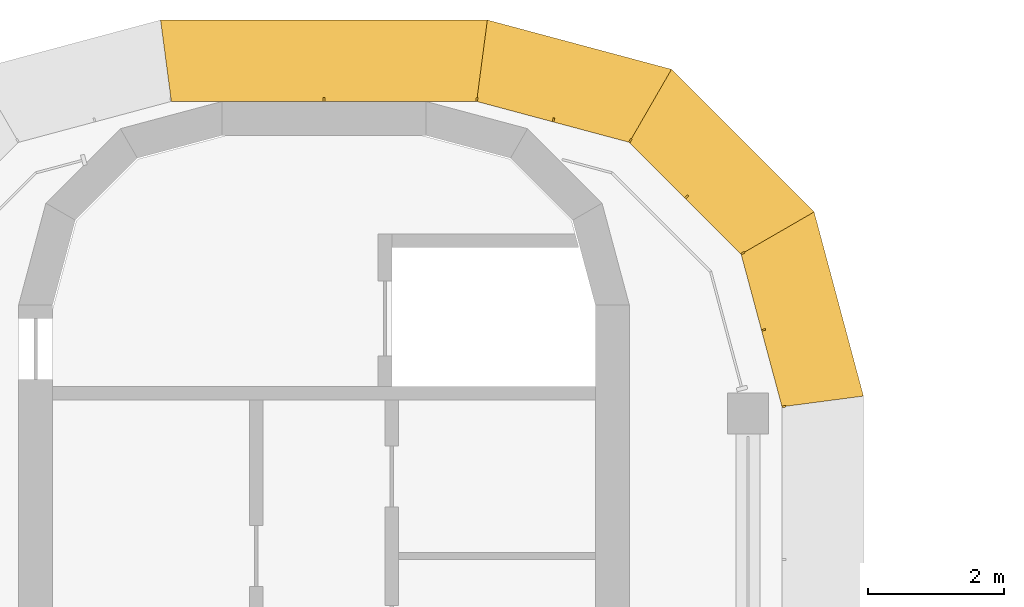
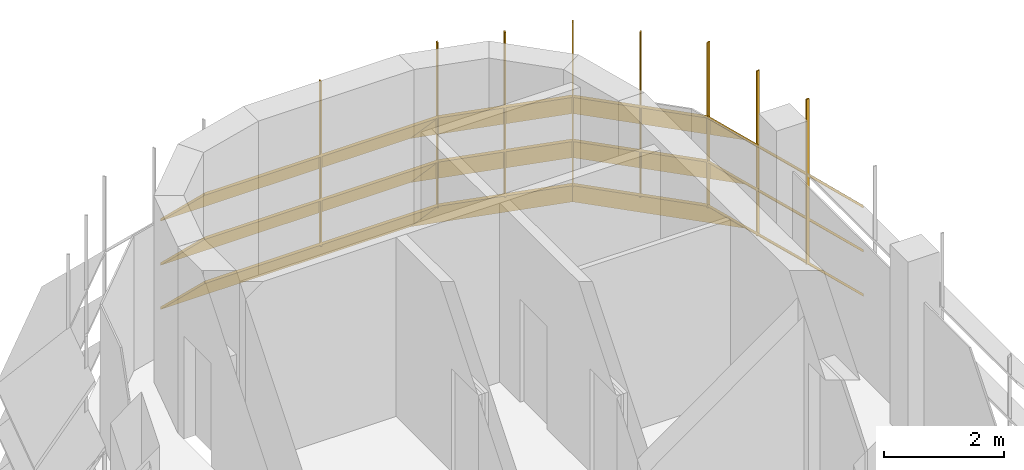
# One storey, part 19 of 19: 2 shading devices.
"""IFC4 building model written with IfcOpenShell, lengths in metres."""

from ifc_helpers import new_model, si_unit, direction, frame, origin, place, context, subcontext, project, spatial, polyline, outline, extrude, faceted_brep, source, transform, mapped, material, type_object, element, save


model = new_model("IFC4")

# Units and contexts
model_context = context("Model", 3, precision=1e-05, world=origin(), true_north=direction((0.0, 1.0)))
body_context = subcontext(model_context, "Body", "Model", "MODEL_VIEW")
ifc_project = project(units=[si_unit("LENGTHUNIT", "METRE"), si_unit("AREAUNIT", "SQUARE_METRE"), si_unit("VOLUMEUNIT", "CUBIC_METRE"), si_unit("PLANEANGLEUNIT", "RADIAN"), si_unit("MASSUNIT", "GRAM", prefix="KILO")], contexts=[model_context])

# Site, building, storey
site_placement = place(None, origin())
site = spatial("IfcSite", under=ifc_project, at=site_placement, CompositionType="ELEMENT")
building_placement = place(site_placement, origin())
building = spatial("IfcBuilding", under=site, at=building_placement, Name="Zarbagh Exchange Tower", CompositionType="ELEMENT")
storey_placement = place(building_placement, frame((0.0, 0.0, 280.199951171875)))
storey = spatial("IfcBuildingStorey", under=building, at=storey_placement, Name="L69", CompositionType="ELEMENT", Elevation=280.199951171875)

# Shading devices
ifc_material = material(Name="Anodised aluminium blades and brackets", Category="aluminium")
shading_device_type = type_object("IfcShadingDeviceType", Name="SUNSHADE louvre band, 45 degree blades", PredefinedType="JALOUSIE", material=ifc_material)
shared_shape_1 = source(origin(), body_context, "Body", "Brep", [
    faceted_brep([(0.0, 0.0, 0.0), (0.0, 0.0, -0.056640625), (-0.157958984375, -1.199951171875, -1.256591796875), (-0.157958984375, -1.199951171875, -1.199951171875), (2.65087890625, -1.199951171875, -1.199951171875), (2.65087890625, -1.199951171875, -1.256591796875), (2.329345703125, 0.0, -0.056640625), (2.329345703125, 0.0, 0.0)], [[[0, 1, 2, 3]], [[4, 5, 6, 7]], [[0, 7, 6, 1]], [[1, 6, 5, 2]], [[2, 5, 4, 3]], [[3, 4, 7, 0]]]),
])
shared_shape_2 = source(origin(), body_context, "Body", "Brep", [
    faceted_brep([(0.0, 0.0, 0.0), (0.0, 0.0, -0.056640625), (-0.321533203125, -1.199951171875, -1.256591796875), (-0.321533203125, -1.199951171875, -1.199951171875), (2.65087890625, -1.199951171875, -1.199951171875), (2.65087890625, -1.199951171875, -1.256591796875), (2.329345703125, 0.0, -0.056640625), (2.329345703125, 0.0, 0.0)], [[[0, 1, 2, 3]], [[4, 5, 6, 7]], [[0, 7, 6, 1]], [[1, 6, 5, 2]], [[2, 5, 4, 3]], [[3, 4, 7, 0]]]),
])
shared_shape_3 = source(origin(), body_context, "Body", "Brep", [
    faceted_brep([(0.0, 0.0, 0.0), (0.0, 0.0, -0.056640625), (-0.321533203125, -1.199951171875, -1.256591796875), (-0.321533203125, -1.199951171875, -1.199951171875), (2.4873046875, -1.199951171875, -1.199951171875), (2.4873046875, -1.199951171875, -1.256591796875), (2.329345703125, 0.0, -0.056640625), (2.329345703125, 0.0, 0.0)], [[[0, 1, 2, 3]], [[4, 5, 6, 7]], [[0, 7, 6, 1]], [[1, 6, 5, 2]], [[2, 5, 4, 3]], [[3, 4, 7, 0]]]),
])
shared_shape_4 = source(origin(), body_context, "Body", "SweptSolid", [
    extrude(outline(polyline([(0.0, -0.012451171875), (0.06005859375, -0.012451171875), (0.06005859375, 0.012451171875), (0.0, 0.012451171875), (0.0, -0.012451171875)])), origin(), (0.0, 0.0, 1.0), 3.366455078125),
])
placement = place(storey_placement, origin())
element("IfcShadingDevice", 1, at=placement, inside=storey, type_object=shading_device_type, Name="SS46 sunshade band", PredefinedType="JALOUSIE", context=body_context, shape_type="MappedRepresentation", body=[
    mapped(shared_shape_1, transform((6.75, 24.75, 2.300048828125), x_axis=(-0.258824779902, 0.965924289636, 0.0), y_axis=(-0.965924289636, -0.258824779902, 0.0), z_axis=(0.0, 0.0, 1.0))),
    mapped(shared_shape_1, transform((6.75, 24.75, 1.400146484375), x_axis=(-0.258824779902, 0.965924289636, 0.0), y_axis=(-0.965924289636, -0.258824779902, 0.0), z_axis=(0.0, 0.0, 1.0))),
    mapped(shared_shape_1, transform((6.75, 24.75, 0.5), x_axis=(-0.258824779902, 0.965924289636, 0.0), y_axis=(-0.965924289636, -0.258824779902, 0.0), z_axis=(0.0, 0.0, 1.0))),
    mapped(shared_shape_2, transform((6.147216796875, 27.0, 2.300048828125), x_axis=(-0.707106781187, 0.707106781187, 0.0), y_axis=(-0.707106781187, -0.707106781187, 0.0), z_axis=(0.0, 0.0, 1.0))),
    mapped(shared_shape_2, transform((6.147216796875, 27.0, 1.400146484375), x_axis=(-0.707106781187, 0.707106781187, 0.0), y_axis=(-0.707106781187, -0.707106781187, 0.0), z_axis=(0.0, 0.0, 1.0))),
    mapped(shared_shape_2, transform((6.147216796875, 27.0, 0.5), x_axis=(-0.707106781187, 0.707106781187, 0.0), y_axis=(-0.707106781187, -0.707106781187, 0.0), z_axis=(0.0, 0.0, 1.0))),
    mapped(shared_shape_3, transform((4.5, 28.647216796875, 2.300048828125), x_axis=(-0.965924289636, 0.258824779902, 0.0), y_axis=(-0.258824779902, -0.965924289636, 0.0), z_axis=(0.0, 0.0, 1.0))),
    mapped(shared_shape_3, transform((4.5, 28.647216796875, 1.400146484375), x_axis=(-0.965924289636, 0.258824779902, 0.0), y_axis=(-0.258824779902, -0.965924289636, 0.0), z_axis=(0.0, 0.0, 1.0))),
    mapped(shared_shape_3, transform((4.5, 28.647216796875, 0.5), x_axis=(-0.965924289636, 0.258824779902, 0.0), y_axis=(-0.258824779902, -0.965924289636, 0.0), z_axis=(0.0, 0.0, 1.0))),
    mapped(shared_shape_4, transform((6.75, 24.75, 0.41357421875), x_axis=(0.991444457092, 0.130529263012, 0.0), y_axis=(-0.130529263012, 0.991444457092, 0.0), z_axis=(0.0, 0.0, 1.0))),
    mapped(shared_shape_4, transform((6.448486328125, 25.875, 0.41357421875), x_axis=(0.96592421511, 0.258825058029, 0.0), y_axis=(-0.258825058029, 0.96592421511, 0.0), z_axis=(0.0, 0.0, 1.0))),
    mapped(shared_shape_4, transform((6.147216796875, 27.0, 0.41357421875), x_axis=(0.866023812018, 0.50000275701, 0.0), y_axis=(-0.50000275701, 0.866023812018, 0.0), z_axis=(0.0, 0.0, 1.0))),
    mapped(shared_shape_4, transform((5.323486328125, 27.823486328125, 0.41357421875), x_axis=(0.707106781187, 0.707106781187, 0.0), y_axis=(-0.707106781187, 0.707106781187, 0.0), z_axis=(0.0, 0.0, 1.0))),
    mapped(shared_shape_4, transform((4.5, 28.647216796875, 0.41357421875), x_axis=(0.50000275701, 0.866023812018, 0.0), y_axis=(-0.866023812018, 0.50000275701, 0.0), z_axis=(0.0, 0.0, 1.0))),
    mapped(shared_shape_4, transform((3.375, 28.948486328125, 0.41357421875), x_axis=(0.258825058029, 0.96592421511, 0.0), y_axis=(-0.96592421511, 0.258825058029, 0.0), z_axis=(0.0, 0.0, 1.0))),
])
shared_shape_5 = source(origin(), body_context, "Body", "Brep", [
    faceted_brep([(0.0, 0.0, 0.0), (0.0, 0.0, -0.056640625), (-0.157958984375, -1.199951171875, -1.256591796875), (-0.157958984375, -1.199951171875, -1.199951171875), (4.657958984375, -1.199951171875, -1.199951171875), (4.657958984375, -1.199951171875, -1.256591796875), (4.5, 0.0, -0.056640625), (4.5, 0.0, 0.0)], [[[0, 1, 2, 3]], [[4, 5, 6, 7]], [[0, 7, 6, 1]], [[1, 6, 5, 2]], [[2, 5, 4, 3]], [[3, 4, 7, 0]]]),
])
element("IfcShadingDevice", 2, at=placement, inside=storey, type_object=shading_device_type, Name="SS47 sunshade band", PredefinedType="JALOUSIE", context=body_context, shape_type="MappedRepresentation", body=[
    mapped(shared_shape_5, transform((2.25, 29.25, 2.300048828125), x_axis=(-1.0, 0.0, 0.0), y_axis=(0.0, -1.0, 0.0), z_axis=(0.0, 0.0, 1.0))),
    mapped(shared_shape_5, transform((2.25, 29.25, 1.400146484375), x_axis=(-1.0, 0.0, 0.0), y_axis=(0.0, -1.0, 0.0), z_axis=(0.0, 0.0, 1.0))),
    mapped(shared_shape_5, transform((2.25, 29.25, 0.5), x_axis=(-1.0, 0.0, 0.0), y_axis=(0.0, -1.0, 0.0), z_axis=(0.0, 0.0, 1.0))),
    mapped(shared_shape_4, transform((2.25, 29.25, 0.41357421875), x_axis=(0.130529263012, 0.991444457092, 0.0), y_axis=(-0.991444457092, 0.130529263012, 0.0), z_axis=(0.0, 0.0, 1.0))),
    mapped(shared_shape_4, transform((0.0, 29.25, 0.41357421875), x_axis=(0.0, 1.0, 0.0), y_axis=(-1.0, 0.0, 0.0), z_axis=(0.0, 0.0, 1.0))),
])

save(model, "model.ifc")
